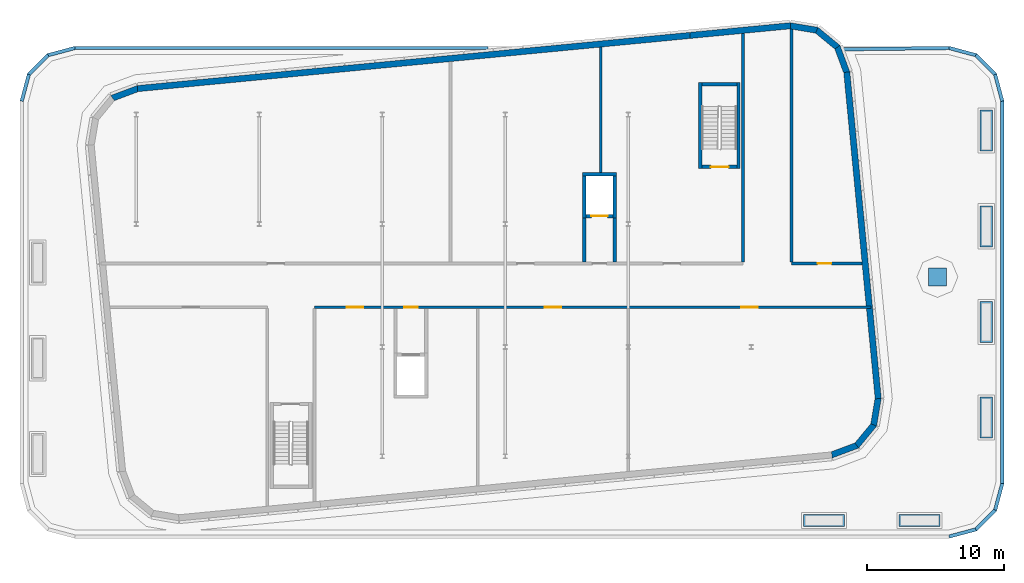
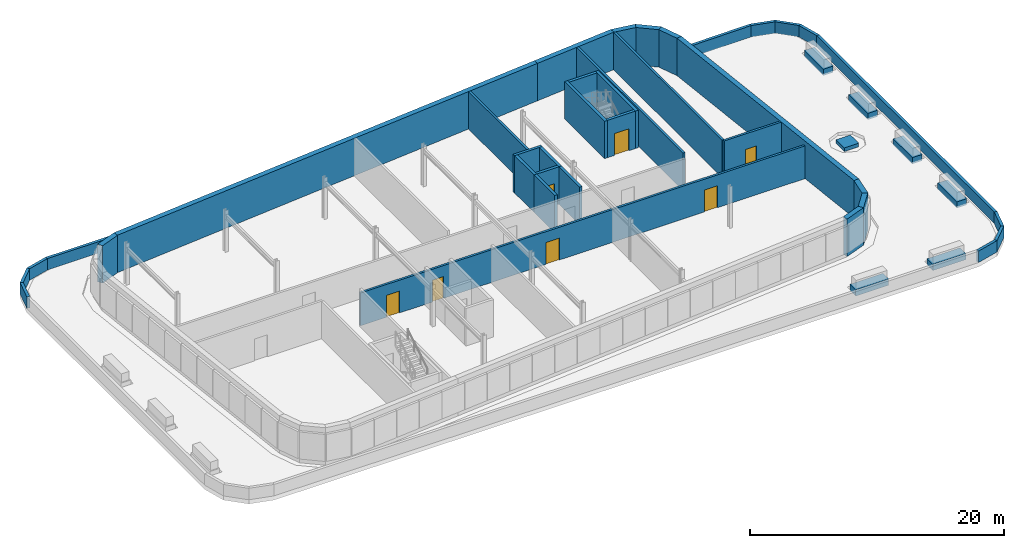
# One storey, part 4 of 7: 43 walls, 7 doors, 1 discrete accessory, 7 openings.
"""IFC4 building model written with IfcOpenShell, lengths in metres."""

import ifcopenshell
import ifcopenshell.guid

model = None  # the IFC model being written
_history = None  # IfcOwnerHistory: only IFC2X3 demands one
_inside = {}  # id of a spatial element -> (the spatial element, [elements in it])
_under = {}  # id of a project, library or spatial element -> (it, [spatial elements below it])
_declared = {}  # id of a project -> (the project, [libraries it declares])
_typed = {}  # id of a type object -> (the type object, [elements of that type])
_made_of = {}  # id of a material, layer set ... -> (it, [elements and type objects made of it])


def new_model(schema):
    """Start an empty IFC model of exactly this schema.

    Asked for "IFC4X3", IfcOpenShell would pick the latest addendum, in which some entities
    have other attributes; the version numbers below select the first issue.
    IFC2X3 requires an IfcOwnerHistory on every rooted entity: one is made here for all.
    """
    global model, _history
    if schema == "IFC4X3":
        model = ifcopenshell.file(schema_version=(4, 3, 0, 0))
    else:
        model = ifcopenshell.file(schema=schema)
    _inside.clear()
    _under.clear()
    _declared.clear()
    _typed.clear()
    _made_of.clear()
    _history = None
    if model.schema == "IFC2X3":
        org = make("IfcOrganization", Name="unknown")
        user = make(
            "IfcPersonAndOrganization",
            ThePerson=make("IfcPerson", FamilyName="unknown"),
            TheOrganization=org,
        )
        app = make(
            "IfcApplication",
            ApplicationDeveloper=org,
            Version="unknown",
            ApplicationFullName="unknown",
            ApplicationIdentifier="unknown",
        )
        _history = make(
            "IfcOwnerHistory",
            OwningUser=user,
            OwningApplication=app,
            ChangeAction="ADDED",
            CreationDate=0,
        )
    return model


def make(cls, **values):
    """One entity of the class cls with the attributes given. An attribute that is None is left unset."""
    return model.create_entity(
        cls, **{name: value for name, value in values.items() if value is not None}
    )


def rooted(cls, **values):
    """An entity with a GlobalId (a new one), such as an element, a storey or a relation."""
    return make(cls, GlobalId=ifcopenshell.guid.new(), OwnerHistory=_history, **values)


def si_unit(unit_type, name, prefix=None):
    """IfcSIUnit, for example si_unit("LENGTHUNIT", "METRE", prefix="MILLI")."""
    return make("IfcSIUnit", UnitType=unit_type, Prefix=prefix, Name=name)


def assignment(units):
    """IfcUnitAssignment: the units of a project."""
    return None if units is None else make("IfcUnitAssignment", Units=units)


def point(xyz):
    """IfcCartesianPoint."""
    return None if xyz is None else make("IfcCartesianPoint", Coordinates=xyz)


def direction(xyz):
    """IfcDirection."""
    return None if xyz is None else make("IfcDirection", DirectionRatios=xyz)


def frame(location, z_axis=None, x_axis=None):
    """IfcAxis2Placement3D, a coordinate frame: its origin and axes. An axis left out is left unset."""
    return make(
        "IfcAxis2Placement3D",
        Location=point(location),
        Axis=direction(z_axis),
        RefDirection=direction(x_axis),
    )


def frame_2d(location, x_axis=None):
    """IfcAxis2Placement2D, a coordinate frame in the plane: its origin and x axis."""
    return make(
        "IfcAxis2Placement2D", Location=point(location), RefDirection=direction(x_axis)
    )


def origin():
    """The frame at (0, 0, 0) with its axes left unset."""
    return frame((0.0, 0.0, 0.0))


def origin_2d():
    """The frame at (0, 0) in the plane with its x axis left unset."""
    return frame_2d((0.0, 0.0))


def place(relative_to, where):
    """IfcLocalPlacement: puts the frame where relative to a parent placement (None: the world)."""
    return make(
        "IfcLocalPlacement", PlacementRelTo=relative_to, RelativePlacement=where
    )


def context(
    kind, dimensions, precision=None, world=None, true_north=None, identifier=None
):
    """IfcGeometricRepresentationContext, for example the 3D "Model" context."""
    return make(
        "IfcGeometricRepresentationContext",
        ContextIdentifier=identifier,
        ContextType=kind,
        CoordinateSpaceDimension=dimensions,
        Precision=precision,
        WorldCoordinateSystem=world,
        TrueNorth=true_north,
    )


def subcontext(parent, identifier, kind, view, scale=None):
    """IfcGeometricRepresentationSubContext, for example "Body" below "Model"."""
    return make(
        "IfcGeometricRepresentationSubContext",
        ContextIdentifier=identifier,
        ContextType=kind,
        ParentContext=parent,
        TargetScale=scale,
        TargetView=view,
    )


def project(units=None, contexts=None):
    """IfcProject with its units and contexts."""
    return rooted(
        "IfcProject",
        Name="project",
        RepresentationContexts=contexts,
        UnitsInContext=assignment(units),
    )


def spatial(cls, under=None, at=None, **own):
    """A site, building, storey or space (cls), placed at a placement, below another one or the project."""
    s = rooted(cls, ObjectPlacement=at, **own)
    if under is not None:
        _under.setdefault(under.id(), (under, []))[1].append(s)
    return s


def polyline(points):
    """IfcPolyline through the points."""
    return make("IfcPolyline", Points=[point(p) for p in points])


def profile(cls, at=None, kind="AREA", **sizes):
    """A parametric profile (cls). Its sizes go by their IFC names, for example OverallWidth=200.0."""
    return make(cls, ProfileType=kind, Position=at, **sizes)


def rectangle(**sizes):
    """IfcRectangleProfileDef."""
    return profile("IfcRectangleProfileDef", **sizes)


def outline(outer, holes=None, kind="AREA"):
    """IfcArbitraryClosedProfileDef: a profile drawn as a closed curve; with holes, ...WithVoids."""
    if holes is None:
        return make("IfcArbitraryClosedProfileDef", ProfileType=kind, OuterCurve=outer)
    return make(
        "IfcArbitraryProfileDefWithVoids",
        ProfileType=kind,
        OuterCurve=outer,
        InnerCurves=holes,
    )


def extrude(swept, where, along, depth):
    """IfcExtrudedAreaSolid: the profile swept, set in the frame where, extruded along a direction by depth."""
    return make(
        "IfcExtrudedAreaSolid",
        SweptArea=swept,
        Position=where,
        ExtrudedDirection=direction(along),
        Depth=depth,
    )


def shape(context_of_items, identifier, shape_type, items):
    """IfcShapeRepresentation: the items that make up one representation, for example the "Body"."""
    return make(
        "IfcShapeRepresentation",
        ContextOfItems=context_of_items,
        RepresentationIdentifier=identifier,
        RepresentationType=shape_type,
        Items=items,
    )


def material(Name=None, Category=None):
    """IfcMaterial."""
    return make("IfcMaterial", Name=Name, Category=Category)


def layer(
    of_material, thickness, ventilated=None, Name=None, Category=None, Priority=None
):
    """IfcMaterialLayer: one layer of a wall or slab, of a material (None: an air gap)."""
    return make(
        "IfcMaterialLayer",
        Material=of_material,
        LayerThickness=thickness,
        IsVentilated=ventilated,
        Name=Name,
        Category=Category,
        Priority=Priority,
    )


def layer_set(layers, Name=None):
    """IfcMaterialLayerSet."""
    return make("IfcMaterialLayerSet", MaterialLayers=layers, LayerSetName=Name)


def made_of(thing, what):
    """Note that an element or type object is made of a material, layer set ...; save() writes the relation."""
    if what is not None:
        _made_of.setdefault(what.id(), (what, []))[1].append(thing)
    return thing


def type_object(cls, material=None, **own):
    """A type object (cls), such as IfcWallType, which elements share."""
    return made_of(rooted(cls, **own), material)


def element(
    cls,
    number,
    at=None,
    inside=None,
    cuts=None,
    type_object=None,
    material=None,
    context=None,
    identifier="Body",
    shape_type=None,
    held_by="IfcProductDefinitionShape",
    body=None,
    shapes=None,
    **own,
):
    """One element of the class cls, such as IfcWall. Its Tag is "e" and its number.

    at: its placement. inside: the storey or other place that contains it. cuts: it is an
    opening in that element (IfcRelVoidsElement). A single representation is given by context,
    identifier, shape_type and body (its items); several are given by shapes. held_by: the class
    of the entity that holds the representations. save() writes the other relations.
    """
    e = rooted(cls, Tag="e%d" % number, ObjectPlacement=at, **own)
    if body is not None:
        shapes = [shape(context, identifier, shape_type, body)]
    if shapes is not None:
        e.Representation = make(held_by, Representations=shapes)
    if inside is not None:
        _inside.setdefault(inside.id(), (inside, []))[1].append(e)
    if cuts is not None:
        rooted(
            "IfcRelVoidsElement", RelatingBuildingElement=cuts, RelatedOpeningElement=e
        )
    if type_object is not None:
        _typed.setdefault(type_object.id(), (type_object, []))[1].append(e)
    return made_of(e, material)


def fill(opening, filler):
    """IfcRelFillsElement: the door or window that sits in an opening."""
    return rooted(
        "IfcRelFillsElement",
        RelatingOpeningElement=opening,
        RelatedBuildingElement=filler,
    )


def aggregate(whole, parts):
    """IfcRelAggregates: a whole, such as a stair, and the parts it consists of."""
    return rooted("IfcRelAggregates", RelatingObject=whole, RelatedObjects=parts)


def save(model, path):
    """Write the relations noted so far, then the file.

    IfcRelAggregates (storeys below a building ...), IfcRelContainedInSpatialStructure (elements
    in a storey), IfcRelDefinesByType, IfcRelAssociatesMaterial and IfcRelDeclares: one each for
    every whole, place, type object, material and project.
    """
    for whole, parts in _under.values():
        aggregate(whole, parts)
    for where, things in _inside.values():
        rooted(
            "IfcRelContainedInSpatialStructure",
            RelatedElements=things,
            RelatingStructure=where,
        )
    for kind, things in _typed.values():
        rooted("IfcRelDefinesByType", RelatedObjects=things, RelatingType=kind)
    for what, things in _made_of.values():
        rooted("IfcRelAssociatesMaterial", RelatedObjects=things, RelatingMaterial=what)
    for by, libraries in _declared.values():
        rooted("IfcRelDeclares", RelatingContext=by, RelatedDefinitions=libraries)
    model.write(path)


model = new_model("IFC4")

# Units and contexts
model_context = context("Model", 3, precision=1e-05, world=origin(), true_north=direction((0.0, 1.0)))
body_context = subcontext(model_context, "Body", "Model", "MODEL_VIEW")
ifc_project = project(units=[si_unit("LENGTHUNIT", "METRE"), si_unit("AREAUNIT", "SQUARE_METRE"), si_unit("VOLUMEUNIT", "CUBIC_METRE"), si_unit("PLANEANGLEUNIT", "RADIAN"), si_unit("MASSUNIT", "GRAM", prefix="KILO")], contexts=[model_context])

# Site, building, storey
site_placement = place(None, origin())
site = spatial("IfcSite", under=ifc_project, at=site_placement, CompositionType="ELEMENT")
building_placement = place(site_placement, origin())
building = spatial("IfcBuilding", under=site, at=building_placement, Name="Kajstack Hotel Tower", CompositionType="ELEMENT")
storey_placement = place(building_placement, frame((0.0, 0.0, 317.800048828125)))
storey = spatial("IfcBuildingStorey", under=building, at=storey_placement, Name="L80", CompositionType="ELEMENT", Elevation=317.800048828125)

# Walls
ifc_material_1 = material(Name="Concrete C40/50", Category="concrete")
ifc_layer_1 = layer(ifc_material_1, 0.449951171875)
ifc_layer_set_1 = layer_set([ifc_layer_1], Name="EW-CORE")
wall_type_1 = type_object("IfcWallType", Name="EW-CORE", PredefinedType="SOLIDWALL", material=ifc_layer_set_1)
wall_1_placement = place(storey_placement, frame((20.877685546875, 19.002685546875, 0.0), z_axis=(0.0, 0.0, 1.0), x_axis=(-0.995397097553, -0.09583641366, 0.0)))
element("IfcWall", 1, at=wall_1_placement, inside=storey, type_object=wall_type_1, Name="E-wall-L80-12-00", PredefinedType="SOLIDWALL", context=body_context, shape_type="SweptSolid", body=[
    extrude(rectangle(XDim=7.39013671875, YDim=0.449951171875, at=frame_2d((3.695068359375, 0.0))), origin(), (0.0, 0.0, 1.0), 3.599853515625),
])
ifc_material_2 = material(Name="Zinc-clad block masonry", Category="masonry")
ifc_layer_2 = layer(ifc_material_2, 0.449951171875)
ifc_layer_set_2 = layer_set([ifc_layer_2], Name="EW-ZINC")
wall_type_2 = type_object("IfcWallType", Name="EW-ZINC", PredefinedType="SOLIDWALL", material=ifc_layer_set_2)
for number, where, z_axis, x_axis, name in (
    (2, (23.84423828125, -12.415283203125, 0.0), (0.0, 0.0, 1.0), (0.936677599948, 0.350192909346, 0.0), "E-wall-L80-05-00"),
    (3, (25.68896484375, -11.7578125, 0.0), (0.0, 0.0, 1.0), (0.636046112757, 0.771651049663, 0.0), "E-wall-L80-06-00"),
):
    element("IfcWall", number, at=place(storey_placement, frame(where, z_axis=z_axis, x_axis=x_axis)), inside=storey, type_object=wall_type_2, Name=name, PredefinedType="SOLIDWALL", context=body_context, shape_type="SweptSolid", body=[
        extrude(outline(polyline([(0.0, -0.224853515625), (2.070556640625, -0.224853515625), (1.949951171875, 0.22509765625), (0.12060546875, 0.22509765625), (0.0, -0.224853515625)])), origin(), (0.0, 0.0, 1.0), 3.599853515625),
    ])
wall_2_placement = place(storey_placement, frame((26.95751953125, -10.26611328125, 0.0), z_axis=(0.0, 0.0, 1.0), x_axis=(0.165068144653, 0.986282164302, 0.0)))
element("IfcWall", 4, at=wall_2_placement, inside=storey, type_object=wall_type_2, Name="E-wall-L80-07-00", PredefinedType="SOLIDWALL", context=body_context, shape_type="SweptSolid", body=[
    extrude(outline(polyline([(0.0, -0.22509765625), (2.070556640625, -0.22509765625), (1.949951171875, 0.22509765625), (0.12060546875, 0.224853515625), (0.0, -0.22509765625)])), origin(), (0.0, 0.0, 1.0), 3.599853515625),
])
wall_3_placement = place(storey_placement, frame((27.297119140625, -8.28271484375, 0.0), z_axis=(0.0, 0.0, 1.0), x_axis=(-0.095844987077, 0.995396272071, 0.0)))
element("IfcWall", 5, at=wall_3_placement, inside=storey, type_object=wall_type_2, Name="E-wall-L80-08-00", PredefinedType="SOLIDWALL", context=body_context, shape_type="SweptSolid", body=[
    extrude(rectangle(XDim=24.000244140625, YDim=0.449951171875, at=frame_2d((12.0, 0.0))), origin(), (0.0, 0.0, 1.0), 3.599853515625),
])
wall_4_placement = place(storey_placement, frame((25.01025390625, 15.549560546875, 0.0), z_axis=(0.0, 0.0, 1.0), x_axis=(-0.350192909346, 0.936677599948, 0.0)))
element("IfcWall", 6, at=wall_4_placement, inside=storey, type_object=wall_type_2, Name="E-wall-L80-09-00", PredefinedType="SOLIDWALL", context=body_context, shape_type="SweptSolid", body=[
    extrude(outline(polyline([(0.0, -0.224853515625), (2.07080078125, -0.224853515625), (1.9501953125, 0.22509765625), (0.12060546875, 0.22509765625), (0.0, -0.224853515625)])), origin(), (0.0, 0.0, 1.0), 3.599853515625),
])
for number, where, z_axis, x_axis, name in (
    (7, (24.352783203125, 17.394287109375, 0.0), (0.0, 0.0, 1.0), (-0.771698747161, 0.635988241739, 0.0), "E-wall-L80-10-00"),
    (8, (22.861083984375, 18.6630859375, 0.0), (0.0, 0.0, 1.0), (-0.986301353518, 0.164953448126, 0.0), "E-wall-L80-11-00"),
):
    element("IfcWall", number, at=place(storey_placement, frame(where, z_axis=z_axis, x_axis=x_axis)), inside=storey, type_object=wall_type_2, Name=name, PredefinedType="SOLIDWALL", context=body_context, shape_type="SweptSolid", body=[
        extrude(outline(polyline([(0.0, -0.224853515625), (2.070556640625, -0.22509765625), (1.949951171875, 0.224853515625), (0.12060546875, 0.22509765625), (0.0, -0.224853515625)])), origin(), (0.0, 0.0, 1.0), 3.599853515625),
    ])
wall_5_placement = place(storey_placement, frame((13.521484375, 18.29443359375, 0.0), z_axis=(0.0, 0.0, 1.0), x_axis=(-0.995396066613, -0.09584712083, 0.0)))
element("IfcWall", 9, at=wall_5_placement, inside=storey, type_object=wall_type_2, Name="E-wall-L80-12-01", PredefinedType="SOLIDWALL", context=body_context, shape_type="SweptSolid", body=[
    extrude(rectangle(XDim=40.60986328125, YDim=0.449951171875, at=frame_2d((20.304931640625, 0.0))), origin(), (0.0, 0.0, 1.0), 3.599853515625),
])
wall_6_placement = place(storey_placement, frame((-26.84423828125, 14.415283203125, 0.0), z_axis=(0.0, 0.0, 1.0), x_axis=(-0.936677599948, -0.350192909346, 0.0)))
element("IfcWall", 10, at=wall_6_placement, inside=storey, type_object=wall_type_2, Name="E-wall-L80-13-00", PredefinedType="SOLIDWALL", context=body_context, shape_type="SweptSolid", body=[
    extrude(outline(polyline([(0.0, -0.224853515625), (2.070556640625, -0.224853515625), (1.949951171875, 0.22509765625), (0.12060546875, 0.22509765625), (0.0, -0.224853515625)])), origin(), (0.0, 0.0, 1.0), 3.599853515625),
])
ifc_layer_3 = layer(ifc_material_2, 0.25)
ifc_layer_set_3 = layer_set([ifc_layer_3], Name="PARAPET-ZINC")
wall_type_3 = type_object("IfcWallType", Name="PARAPET-ZINC", PredefinedType="PARAPET", material=ifc_layer_set_3)
wall_7_placement = place(storey_placement, origin())
element("IfcWall", 11, at=wall_7_placement, inside=storey, type_object=wall_type_3, Name="Parapet L80-01-01-01", PredefinedType="PARAPET", context=body_context, shape_type="SweptSolid", body=[
    extrude(outline(polyline([(24.602294921875, 17.40380859375), (24.603759765625, 17.28173828125), (24.651611328125, 17.154296875), (32.4677734375, 17.249755859375), (32.499267578125, 17.500244140625), (24.602294921875, 17.40380859375)])), origin(), (0.0, 0.0, 1.0), 1.099853515625),
])
wall_8_placement = place(storey_placement, origin())
element("IfcWall", 12, at=wall_8_placement, inside=storey, type_object=wall_type_3, Name="Parapet L80-01-01-02", PredefinedType="PARAPET", context=body_context, shape_type="SweptSolid", body=[
    extrude(outline(polyline([(32.499267578125, 17.500244140625), (32.4677734375, 17.249755859375), (34.37060546875, 16.739990234375), (34.5, 16.964111328125), (32.499267578125, 17.500244140625)])), origin(), (0.0, 0.0, 1.0), 1.099853515625),
])
wall_9_placement = place(storey_placement, origin())
element("IfcWall", 13, at=wall_9_placement, inside=storey, type_object=wall_type_3, Name="Parapet L80-01-01-03", PredefinedType="PARAPET", context=body_context, shape_type="SweptSolid", body=[
    extrude(outline(polyline([(34.5, 16.964111328125), (34.37060546875, 16.739990234375), (35.739990234375, 15.37060546875), (35.964111328125, 15.5), (34.5, 16.964111328125)])), origin(), (0.0, 0.0, 1.0), 1.099853515625),
])
wall_10_placement = place(storey_placement, origin())
element("IfcWall", 14, at=wall_10_placement, inside=storey, type_object=wall_type_3, Name="Parapet L80-01-01-04", PredefinedType="PARAPET", context=body_context, shape_type="SweptSolid", body=[
    extrude(outline(polyline([(35.964111328125, 15.5), (35.739990234375, 15.37060546875), (36.25, 13.467041015625), (36.5, 13.5), (35.964111328125, 15.5)])), origin(), (0.0, 0.0, 1.0), 1.099853515625),
])
wall_11_placement = place(storey_placement, origin())
element("IfcWall", 15, at=wall_11_placement, inside=storey, type_object=wall_type_3, Name="Parapet L80-01-01-05", PredefinedType="PARAPET", context=body_context, shape_type="SweptSolid", body=[
    extrude(outline(polyline([(36.5, 13.5), (36.25, 13.467041015625), (36.25, -14.467041015625), (36.5, -14.5), (36.5, 13.5)])), origin(), (0.0, 0.0, 1.0), 1.099853515625),
])
wall_12_placement = place(storey_placement, origin())
element("IfcWall", 16, at=wall_12_placement, inside=storey, type_object=wall_type_3, Name="Parapet L80-01-01-06", PredefinedType="PARAPET", context=body_context, shape_type="SweptSolid", body=[
    extrude(outline(polyline([(36.5, -14.5), (36.25, -14.467041015625), (35.739990234375, -16.37060546875), (35.964111328125, -16.5), (36.5, -14.5)])), origin(), (0.0, 0.0, 1.0), 1.099853515625),
])
wall_13_placement = place(storey_placement, origin())
element("IfcWall", 17, at=wall_13_placement, inside=storey, type_object=wall_type_3, Name="Parapet L80-01-01-07", PredefinedType="PARAPET", context=body_context, shape_type="SweptSolid", body=[
    extrude(outline(polyline([(35.964111328125, -16.5), (35.739990234375, -16.37060546875), (34.37060546875, -17.739990234375), (34.5, -17.964111328125), (35.964111328125, -16.5)])), origin(), (0.0, 0.0, 1.0), 1.099853515625),
])
wall_14_placement = place(storey_placement, origin())
element("IfcWall", 18, at=wall_14_placement, inside=storey, type_object=wall_type_3, Name="Parapet L80-01-01-08", PredefinedType="PARAPET", context=body_context, shape_type="SweptSolid", body=[
    extrude(outline(polyline([(34.5, -17.964111328125), (34.37060546875, -17.739990234375), (32.467041015625, -18.25), (32.5, -18.5), (34.5, -17.964111328125)])), origin(), (0.0, 0.0, 1.0), 1.099853515625),
])
wall_15_placement = place(storey_placement, origin())
element("IfcWall", 19, at=wall_15_placement, inside=storey, type_object=wall_type_3, Name="Parapet L80-01-01-14", PredefinedType="PARAPET", context=body_context, shape_type="SweptSolid", body=[
    extrude(outline(polyline([(-35.5, 13.5), (-35.25, 13.467041015625), (-34.739990234375, 15.37060546875), (-34.964111328125, 15.5), (-35.5, 13.5)])), origin(), (0.0, 0.0, 1.0), 1.099853515625),
])
wall_16_placement = place(storey_placement, origin())
element("IfcWall", 20, at=wall_16_placement, inside=storey, type_object=wall_type_3, Name="Parapet L80-01-01-15", PredefinedType="PARAPET", context=body_context, shape_type="SweptSolid", body=[
    extrude(outline(polyline([(-34.964111328125, 15.5), (-34.739990234375, 15.37060546875), (-33.37060546875, 16.739990234375), (-33.5, 16.964111328125), (-34.964111328125, 15.5)])), origin(), (0.0, 0.0, 1.0), 1.099853515625),
])
wall_17_placement = place(storey_placement, origin())
element("IfcWall", 21, at=wall_17_placement, inside=storey, type_object=wall_type_3, Name="Parapet L80-01-01-16", PredefinedType="PARAPET", context=body_context, shape_type="SweptSolid", body=[
    extrude(outline(polyline([(-33.5, 16.964111328125), (-33.37060546875, 16.739990234375), (-31.467041015625, 17.25), (-31.5, 17.5), (-33.5, 16.964111328125)])), origin(), (0.0, 0.0, 1.0), 1.099853515625),
])
wall_18_placement = place(storey_placement, origin())
element("IfcWall", 22, at=wall_18_placement, inside=storey, type_object=wall_type_3, Name="Parapet L80-01-01-17", PredefinedType="PARAPET", context=body_context, shape_type="SweptSolid", body=[
    extrude(outline(polyline([(-31.5, 17.5), (-31.467041015625, 17.25), (-1.242919921875, 17.25), (-1.242919921875, 17.5), (-31.5, 17.5)])), origin(), (0.0, 0.0, 1.0), 1.099853515625),
])
ifc_material_3 = material(Name="Concrete C30/37", Category="concrete")
ifc_layer_4 = layer(ifc_material_3, 0.89990234375)
ifc_layer_set_4 = layer_set([ifc_layer_4], Name="PLANTER-WALL")
wall_type_4 = type_object("IfcWallType", Name="PLANTER-WALL", PredefinedType="SOLIDWALL", material=ifc_layer_set_4)
for number, where, z_axis, x_axis, name in (
    (23, (35.199951171875, 12.828857421875, 0.0), (0.0, 0.0, 1.0), (0.0, -1.0, 0.0), "PLANTER L80-01-04"),
    (24, (35.199951171875, 5.828857421875, 0.0), (0.0, 0.0, 1.0), (0.0, -1.0, 0.0), "PLANTER L80-01-05"),
    (25, (35.199951171875, -1.171142578125, 0.0), (0.0, 0.0, 1.0), (0.0, -1.0, 0.0), "PLANTER L80-01-06"),
    (26, (35.199951171875, -8.171142578125, 0.0), (0.0, 0.0, 1.0), (0.0, -1.0, 0.0), "PLANTER L80-01-07"),
    (27, (31.828857421875, -17.199951171875, 0.0), (0.0, 0.0, 1.0), (-1.0, 0.0, 0.0), "PLANTER L80-01-08"),
    (28, (24.828857421875, -17.199951171875, 0.0), (0.0, 0.0, 1.0), (-1.0, 0.0, 0.0), "PLANTER L80-01-09"),
):
    element("IfcWall", number, at=place(storey_placement, frame(where, z_axis=z_axis, x_axis=x_axis)), inside=storey, type_object=wall_type_4, Name=name, PredefinedType="SOLIDWALL", context=body_context, shape_type="SweptSolid", body=[
        extrude(rectangle(XDim=3.0, YDim=0.89990234375, at=frame_2d((1.5, 0.0))), origin(), (0.0, 0.0, 1.0), 0.599853515625),
    ])

# Wall, openings, doors
ifc_material_4 = material(Name="Gypsum board on steel studs, mineral wool", Category="steel")
ifc_layer_5 = layer(ifc_material_4, 0.199951171875)
ifc_layer_set_5 = layer_set([ifc_layer_5], Name="Public partition 200")
wall_type_5 = type_object("IfcWallType", Name="Public partition 200", PredefinedType="PARTITIONING", material=ifc_layer_set_5)
wall_19_placement = place(storey_placement, frame((-13.949951171875, -1.60009765625, 0.0), z_axis=(0.0, 0.0, 1.0), x_axis=(1.0, 0.0, 0.0)))
wall_19 = element("IfcWall", 29, at=wall_19_placement, inside=storey, type_object=wall_type_5, Name="Partition FW1", PredefinedType="PARTITIONING", context=body_context, shape_type="SweptSolid", body=[
    extrude(rectangle(XDim=40.705078125, YDim=0.199951171875, at=frame_2d((20.3525390625, 0.0))), origin(), (0.0, 0.0, 1.0), 3.14990234375),
])
opening_1_placement = place(wall_19_placement, frame((2.35009765625, 0.0, 0.0)))
opening_1 = element("IfcOpeningElement", 30, at=opening_1_placement, cuts=wall_19, Name="Opening 80P02", PredefinedType="OPENING", context=body_context, shape_type="SweptSolid", body=[
    extrude(rectangle(XDim=1.199951171875, YDim=2.10009765625, at=frame_2d((0.60009765625, 1.050048828125))), frame((0.0, 0.10986328125, 0.0), z_axis=(0.0, -1.0, 0.0), x_axis=(1.0, 0.0, 0.0)), (0.0, 0.0, 1.0), 0.219970703125),
])
opening_2_placement = place(wall_19_placement, frame((16.85009765625, 0.0, 0.0)))
opening_2 = element("IfcOpeningElement", 31, at=opening_2_placement, cuts=wall_19, Name="Opening 80P03", PredefinedType="OPENING", context=body_context, shape_type="SweptSolid", body=[
    extrude(rectangle(XDim=1.199951171875, YDim=2.10009765625, at=frame_2d((0.60009765625, 1.050048828125))), frame((0.0, 0.10986328125, 0.0), z_axis=(0.0, -1.0, 0.0), x_axis=(1.0, 0.0, 0.0)), (0.0, 0.0, 1.0), 0.219970703125),
])
opening_3_placement = place(wall_19_placement, frame((31.22802734375, 0.0, 0.0)))
opening_3 = element("IfcOpeningElement", 32, at=opening_3_placement, cuts=wall_19, Name="Opening 80P04", PredefinedType="OPENING", context=body_context, shape_type="SweptSolid", body=[
    extrude(rectangle(XDim=1.199951171875, YDim=2.10009765625, at=frame_2d((0.60009765625, 1.050048828125))), frame((0.0, 0.10986328125, 0.0), z_axis=(0.0, -1.0, 0.0), x_axis=(1.0, 0.0, 0.0)), (0.0, 0.0, 1.0), 0.219970703125),
])
opening_4_placement = place(wall_19_placement, frame((6.550048828125, 0.0, 0.0)))
opening_4 = element("IfcOpeningElement", 33, at=opening_4_placement, cuts=wall_19, Name="Opening 80P09", PredefinedType="OPENING", context=body_context, shape_type="SweptSolid", body=[
    extrude(rectangle(XDim=1.0, YDim=2.10009765625, at=frame_2d((0.5, 1.050048828125))), frame((0.0, 0.10986328125, 0.0), z_axis=(0.0, -1.0, 0.0), x_axis=(1.0, 0.0, 0.0)), (0.0, 0.0, 1.0), 0.219970703125),
])
ifc_material_5 = material(Name="Timber leaf, fire-rated", Category="wood")
door_type_1 = type_object("IfcDoorType", Name="Public corridor door 1200", OperationType="SINGLE_SWING_LEFT", PredefinedType="DOOR", material=ifc_material_5)
door_1_placement = place(opening_1_placement, origin())
door_1 = element("IfcDoor", 34, at=door_1_placement, inside=storey, type_object=door_type_1, Name="Door 80P02", OperationType="SINGLE_SWING_RIGHT", OverallHeight=2.10009765625, OverallWidth=1.199951171875, PredefinedType="DOOR", context=body_context, shape_type="SweptSolid", body=[
    extrude(rectangle(XDim=1.199951171875, YDim=2.10009765625, at=frame_2d((0.60009765625, 1.050048828125))), frame((0.0, 0.02490234375, 0.0), z_axis=(0.0, -1.0, 0.0), x_axis=(1.0, 0.0, 0.0)), (0.0, 0.0, 1.0), 0.050048828125),
])
fill(opening_1, door_1)
door_2_placement = place(opening_2_placement, origin())
door_2 = element("IfcDoor", 35, at=door_2_placement, inside=storey, type_object=door_type_1, Name="Door 80P03", OperationType="SINGLE_SWING_RIGHT", OverallHeight=2.10009765625, OverallWidth=1.199951171875, PredefinedType="DOOR", context=body_context, shape_type="SweptSolid", body=[
    extrude(rectangle(XDim=1.199951171875, YDim=2.10009765625, at=frame_2d((0.60009765625, 1.050048828125))), frame((0.0, 0.02490234375, 0.0), z_axis=(0.0, -1.0, 0.0), x_axis=(1.0, 0.0, 0.0)), (0.0, 0.0, 1.0), 0.050048828125),
])
fill(opening_2, door_2)
door_3_placement = place(opening_3_placement, origin())
door_3 = element("IfcDoor", 36, at=door_3_placement, inside=storey, type_object=door_type_1, Name="Door 80P04", OperationType="SINGLE_SWING_RIGHT", OverallHeight=2.10009765625, OverallWidth=1.199951171875, PredefinedType="DOOR", context=body_context, shape_type="SweptSolid", body=[
    extrude(rectangle(XDim=1.199951171875, YDim=2.10009765625, at=frame_2d((0.60009765625, 1.050048828125))), frame((0.0, 0.02490234375, 0.0), z_axis=(0.0, -1.0, 0.0), x_axis=(1.0, 0.0, 0.0)), (0.0, 0.0, 1.0), 0.050048828125),
])
fill(opening_3, door_3)
ifc_material_6 = material(Name="Timber leaf", Category="wood")
door_type_2 = type_object("IfcDoorType", Name="Public room door 1000", OperationType="SINGLE_SWING_LEFT", PredefinedType="DOOR", material=ifc_material_6)
door_4_placement = place(opening_4_placement, origin())
door_4 = element("IfcDoor", 37, at=door_4_placement, inside=storey, type_object=door_type_2, Name="Door 80P09", OperationType="SINGLE_SWING_RIGHT", OverallHeight=2.10009765625, OverallWidth=1.0, PredefinedType="DOOR", context=body_context, shape_type="SweptSolid", body=[
    extrude(rectangle(XDim=1.0, YDim=2.10009765625, at=frame_2d((0.5, 1.050048828125))), frame((0.0, 0.02490234375, 0.0), z_axis=(0.0, -1.0, 0.0), x_axis=(1.0, 0.0, 0.0)), (0.0, 0.0, 1.0), 0.050048828125),
])
fill(opening_4, door_4)

# Walls
wall_20_placement = place(storey_placement, frame((20.949951171875, 1.699951171875, 0.0), z_axis=(0.0, 0.0, 1.0), x_axis=(0.0, 1.0, 0.0)))
element("IfcWall", 38, at=wall_20_placement, inside=storey, type_object=wall_type_5, Name="Partition SX0", PredefinedType="PARTITIONING", context=body_context, shape_type="SweptSolid", body=[
    extrude(rectangle(XDim=17.0546875, YDim=0.199951171875, at=frame_2d((8.52734375, 0.0))), origin(), (0.0, 0.0, 1.0), 3.599853515625),
])
wall_21_placement = place(storey_placement, frame((17.39990234375, 1.699951171875, 0.0), z_axis=(0.0, 0.0, 1.0), x_axis=(0.0, 1.0, 0.0)))
element("IfcWall", 39, at=wall_21_placement, inside=storey, type_object=wall_type_5, Name="Partition SX1", PredefinedType="PARTITIONING", context=body_context, shape_type="SweptSolid", body=[
    extrude(rectangle(XDim=16.74169921875, YDim=0.199951171875, at=frame_2d((8.370849609375, 0.0))), origin(), (0.0, 0.0, 1.0), 3.599853515625),
])
wall_22_placement = place(storey_placement, frame((7.0, 8.25, 0.0), z_axis=(0.0, 0.0, 1.0), x_axis=(0.0, 1.0, 0.0)))
element("IfcWall", 40, at=wall_22_placement, inside=storey, type_object=wall_type_5, Name="Partition SX2", PredefinedType="PARTITIONING", context=body_context, shape_type="SweptSolid", body=[
    extrude(rectangle(XDim=9.1904296875, YDim=0.199951171875, at=frame_2d((4.59521484375, 0.0))), origin(), (0.0, 0.0, 1.0), 3.599853515625),
])

# Wall, opening, door
wall_23_placement = place(storey_placement, frame((20.949951171875, 1.60009765625, 0.0), z_axis=(0.0, 0.0, 1.0), x_axis=(1.0, 0.0, 0.0)))
wall_23 = element("IfcWall", 41, at=wall_23_placement, inside=storey, type_object=wall_type_5, Name="Partition SFW0", PredefinedType="PARTITIONING", context=body_context, shape_type="SweptSolid", body=[
    extrude(rectangle(XDim=5.169677734375, YDim=0.199951171875, at=frame_2d((2.5849609375, 0.0))), origin(), (0.0, 0.0, 1.0), 3.599853515625),
])
opening_5_placement = place(wall_23_placement, frame((1.9208984375, 0.0, 0.0)))
opening_5 = element("IfcOpeningElement", 42, at=opening_5_placement, cuts=wall_23, Name="Opening 80P05", PredefinedType="OPENING", context=body_context, shape_type="SweptSolid", body=[
    extrude(rectangle(XDim=1.0, YDim=2.10009765625, at=frame_2d((0.5, 1.050048828125))), frame((0.0, 0.10986328125, 0.0), z_axis=(0.0, -1.0, 0.0), x_axis=(1.0, 0.0, 0.0)), (0.0, 0.0, 1.0), 0.219970703125),
])
door_5_placement = place(opening_5_placement, origin())
door_5 = element("IfcDoor", 43, at=door_5_placement, inside=storey, type_object=door_type_2, Name="Door 80P05", OperationType="SINGLE_SWING_LEFT", OverallHeight=2.10009765625, OverallWidth=1.0, PredefinedType="DOOR", context=body_context, shape_type="SweptSolid", body=[
    extrude(rectangle(XDim=1.0, YDim=2.10009765625, at=frame_2d((0.5, 1.050048828125))), frame((0.0, 0.02490234375, 0.0), z_axis=(0.0, -1.0, 0.0), x_axis=(1.0, 0.0, 0.0)), (0.0, 0.0, 1.0), 0.050048828125),
])
fill(opening_5, door_5)

# Walls
ifc_layer_6 = layer(ifc_material_4, 0.199951171875)
ifc_layer_set_6 = layer_set([ifc_layer_6], Name="Service partition 200")
wall_type_6 = type_object("IfcWallType", Name="Service partition 200", PredefinedType="PARTITIONING", material=ifc_layer_set_6)
for number, where, z_axis, x_axis, name in (
    (44, (8.02490234375, 1.699951171875, 0.0), (0.0, 0.0, 1.0), (0.0, 1.0, 0.0), "Partition E CLLW"),
    (45, (5.77490234375, 1.699951171875, 0.0), (0.0, 0.0, 1.0), (0.0, 1.0, 0.0), "Partition E CLLE"),
):
    element("IfcWall", number, at=place(storey_placement, frame(where, z_axis=z_axis, x_axis=x_axis)), inside=storey, type_object=wall_type_6, Name=name, PredefinedType="PARTITIONING", context=body_context, shape_type="SweptSolid", body=[
        extrude(rectangle(XDim=3.25, YDim=0.25, at=frame_2d((1.625, 0.0))), origin(), (0.0, 0.0, 1.0), 3.599853515625),
    ])
ifc_material_7 = material(Name="Concrete C50/60", Category="concrete")
ifc_layer_7 = layer(ifc_material_7, 0.25)
ifc_layer_set_7 = layer_set([ifc_layer_7], Name="Shaft wall 250")
wall_type_7 = type_object("IfcWallType", Name="Shaft wall 250", PredefinedType="SHEAR", material=ifc_layer_set_7)
wall_24_placement = place(storey_placement, frame((5.64990234375, 8.125, 0.0), z_axis=(0.0, 0.0, 1.0), x_axis=(1.0, 0.0, 0.0)))
element("IfcWall", 46, at=wall_24_placement, inside=storey, type_object=wall_type_7, Name="Core wall E CLS", PredefinedType="SHEAR", context=body_context, shape_type="SweptSolid", body=[
    extrude(rectangle(XDim=2.5, YDim=0.25, at=frame_2d((1.25, 0.0))), origin(), (0.0, 0.0, 1.0), 3.599853515625),
])
for number, where, z_axis, x_axis, name in (
    (47, (8.02490234375, 4.949951171875, 0.0), (0.0, 0.0, 1.0), (0.0, 1.0, 0.0), "Core wall E CLW"),
    (48, (5.77490234375, 4.949951171875, 0.0), (0.0, 0.0, 1.0), (0.0, 1.0, 0.0), "Core wall E CLE"),
):
    element("IfcWall", number, at=place(storey_placement, frame(where, z_axis=z_axis, x_axis=x_axis)), inside=storey, type_object=wall_type_7, Name=name, PredefinedType="SHEAR", context=body_context, shape_type="SweptSolid", body=[
        extrude(rectangle(XDim=3.050048828125, YDim=0.25, at=frame_2d((1.52490234375, 0.0))), origin(), (0.0, 0.0, 1.0), 3.599853515625),
    ])

# Wall, opening, door
wall_25_placement = place(storey_placement, frame((5.89990234375, 5.074951171875, 0.0), z_axis=(0.0, 0.0, 1.0), x_axis=(1.0, 0.0, 0.0)))
wall_25 = element("IfcWall", 49, at=wall_25_placement, inside=storey, type_object=wall_type_7, Name="Core wall E CLN", PredefinedType="SHEAR", context=body_context, shape_type="SweptSolid", body=[
    extrude(rectangle(XDim=2.0, YDim=0.25, at=frame_2d((1.0, 0.0))), origin(), (0.0, 0.0, 1.0), 3.599853515625),
])
opening_6_placement = place(wall_25_placement, frame((0.39990234375, 0.0, 0.0)))
opening_6 = element("IfcOpeningElement", 50, at=opening_6_placement, cuts=wall_25, Name="Opening LD-CL2", PredefinedType="OPENING", context=body_context, shape_type="SweptSolid", body=[
    extrude(rectangle(XDim=1.199951171875, YDim=2.10009765625, at=frame_2d((0.60009765625, 1.050048828125))), frame((0.0, 0.135009765625, 0.0), z_axis=(0.0, -1.0, 0.0), x_axis=(1.0, 0.0, 0.0)), (0.0, 0.0, 1.0), 0.27001953125),
])
ifc_material_8 = material(Name="Stainless steel", Category="steel")
door_type_3 = type_object("IfcDoorType", Name="Lift landing door 1200", OperationType="SLIDING_TO_LEFT", PredefinedType="DOOR", material=ifc_material_8)
door_6_placement = place(opening_6_placement, origin())
door_6 = element("IfcDoor", 51, at=door_6_placement, inside=storey, type_object=door_type_3, Name="Landing door CL2", OperationType="SLIDING_TO_LEFT", OverallHeight=2.10009765625, OverallWidth=1.199951171875, PredefinedType="DOOR", context=body_context, shape_type="SweptSolid", body=[
    extrude(rectangle(XDim=1.199951171875, YDim=2.10009765625, at=frame_2d((0.60009765625, 1.050048828125))), frame((0.0, 0.02490234375, 0.0), z_axis=(0.0, -1.0, 0.0), x_axis=(1.0, 0.0, 0.0)), (0.0, 0.0, 1.0), 0.050048828125),
])
fill(opening_6, door_6)

# Walls
ifc_layer_8 = layer(ifc_material_1, 0.25)
ifc_layer_set_8 = layer_set([ifc_layer_8], Name="Stair enclosure wall 250")
wall_type_8 = type_object("IfcWallType", Name="Stair enclosure wall 250", PredefinedType="SHEAR", material=ifc_layer_set_8)
for number, where, z_axis, x_axis, name in (
    (52, (17.074951171875, 8.550048828125, 0.0), (0.0, 0.0, 1.0), (0.0, 1.0, 0.0), "Core wall E W2W"),
    (53, (14.27490234375, 8.550048828125, 0.0), (0.0, 0.0, 1.0), (0.0, 1.0, 0.0), "Core wall E W2E"),
):
    element("IfcWall", number, at=place(storey_placement, frame(where, z_axis=z_axis, x_axis=x_axis)), inside=storey, type_object=wall_type_8, Name=name, PredefinedType="SHEAR", context=body_context, shape_type="SweptSolid", body=[
        extrude(rectangle(XDim=6.300048828125, YDim=0.25, at=frame_2d((3.14990234375, 0.0))), origin(), (0.0, 0.0, 1.0), 3.599853515625),
    ])
wall_26_placement = place(storey_placement, frame((14.39990234375, 14.72509765625, 0.0), z_axis=(0.0, 0.0, 1.0), x_axis=(1.0, 0.0, 0.0)))
element("IfcWall", 54, at=wall_26_placement, inside=storey, type_object=wall_type_8, Name="Core wall E W2S", PredefinedType="SHEAR", context=body_context, shape_type="SweptSolid", body=[
    extrude(rectangle(XDim=2.550048828125, YDim=0.25, at=frame_2d((1.27490234375, 0.0))), origin(), (0.0, 0.0, 1.0), 3.599853515625),
])

# Wall, opening, door
wall_27_placement = place(storey_placement, frame((14.39990234375, 8.675048828125, 0.0), z_axis=(0.0, 0.0, 1.0), x_axis=(1.0, 0.0, 0.0)))
wall_27 = element("IfcWall", 55, at=wall_27_placement, inside=storey, type_object=wall_type_8, Name="Core wall E W2N", PredefinedType="SHEAR", context=body_context, shape_type="SweptSolid", body=[
    extrude(rectangle(XDim=2.550048828125, YDim=0.25, at=frame_2d((1.27490234375, 0.0))), origin(), (0.0, 0.0, 1.0), 3.599853515625),
])
opening_7_placement = place(wall_27_placement, frame((0.64990234375, 0.0, 0.0)))
opening_7 = element("IfcOpeningElement", 56, at=opening_7_placement, cuts=wall_27, Name="Opening 80E02", PredefinedType="OPENING", context=body_context, shape_type="SweptSolid", body=[
    extrude(rectangle(XDim=1.300048828125, YDim=2.10009765625, at=frame_2d((0.64990234375, 1.050048828125))), frame((0.0, 0.135009765625, 0.0), z_axis=(0.0, -1.0, 0.0), x_axis=(1.0, 0.0, 0.0)), (0.0, 0.0, 1.0), 0.27001953125),
])
ifc_material_9 = material(Name="Steel leaf, fire-rated", Category="steel")
door_type_4 = type_object("IfcDoorType", Name="Stair door 1300", OperationType="SINGLE_SWING_LEFT", PredefinedType="DOOR", material=ifc_material_9)
door_7_placement = place(opening_7_placement, origin())
door_7 = element("IfcDoor", 57, at=door_7_placement, inside=storey, type_object=door_type_4, Name="Door 80E02", OperationType="SINGLE_SWING_LEFT", OverallHeight=2.10009765625, OverallWidth=1.300048828125, PredefinedType="DOOR", context=body_context, shape_type="SweptSolid", body=[
    extrude(rectangle(XDim=1.300048828125, YDim=2.10009765625, at=frame_2d((0.64990234375, 1.050048828125))), frame((0.0, 0.02490234375, 0.0), z_axis=(0.0, -1.0, 0.0), x_axis=(1.0, 0.0, 0.0)), (0.0, 0.0, 1.0), 0.050048828125),
])
fill(opening_7, door_7)

# Discrete accessory
ifc_material_10 = material(Name="Steel S355J2", Category="steel")
discrete_accessory_type = type_object("IfcDiscreteAccessoryType", Name="ROOF ACCESS HATCH", PredefinedType="USERDEFINED", material=ifc_material_10)
discrete_accessory_placement = place(storey_placement, frame((31.625, 0.625, 0.0), z_axis=(0.0, 0.0, 1.0), x_axis=(1.0, 0.0, 0.0)))
element("IfcDiscreteAccessory", 58, at=discrete_accessory_placement, inside=storey, type_object=discrete_accessory_type, Name="Roof access hatch L80-01", ObjectType="ROOF ACCESS HATCH", PredefinedType="USERDEFINED", context=body_context, shape_type="SweptSolid", body=[
    extrude(rectangle(XDim=1.300048828125, YDim=1.300048828125, at=origin_2d()), origin(), (0.0, 0.0, 1.0), 0.35009765625),
])

save(model, "model.ifc")
